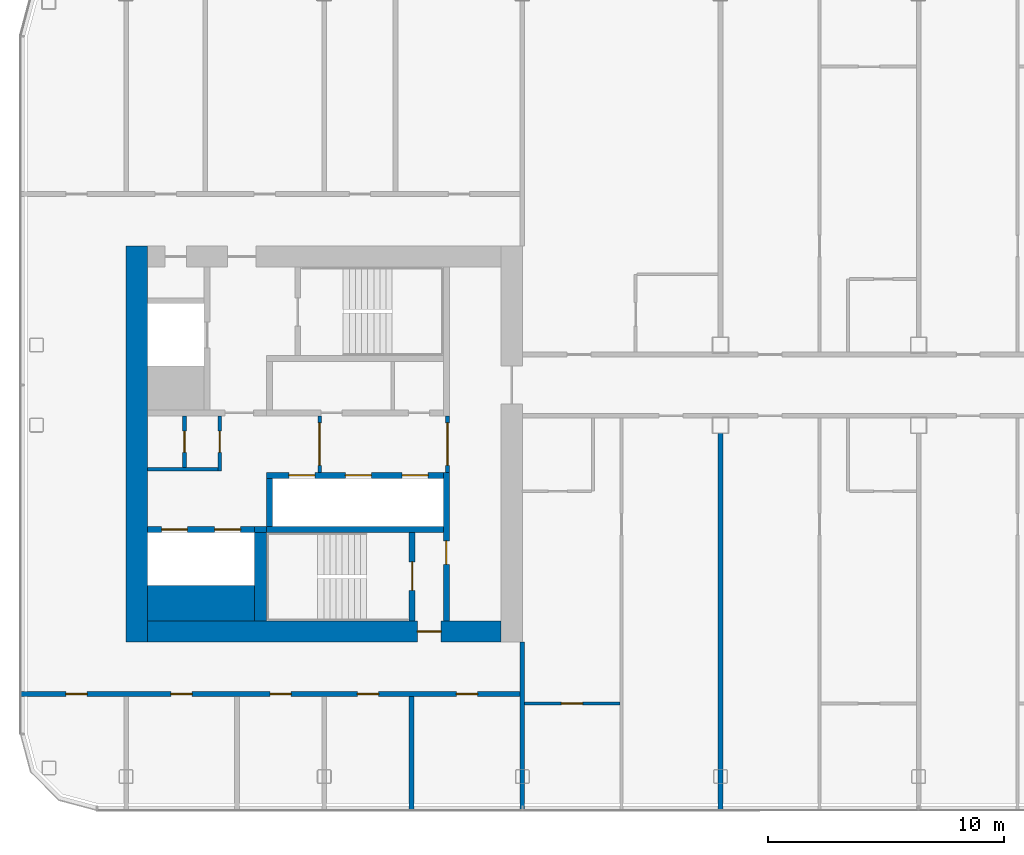
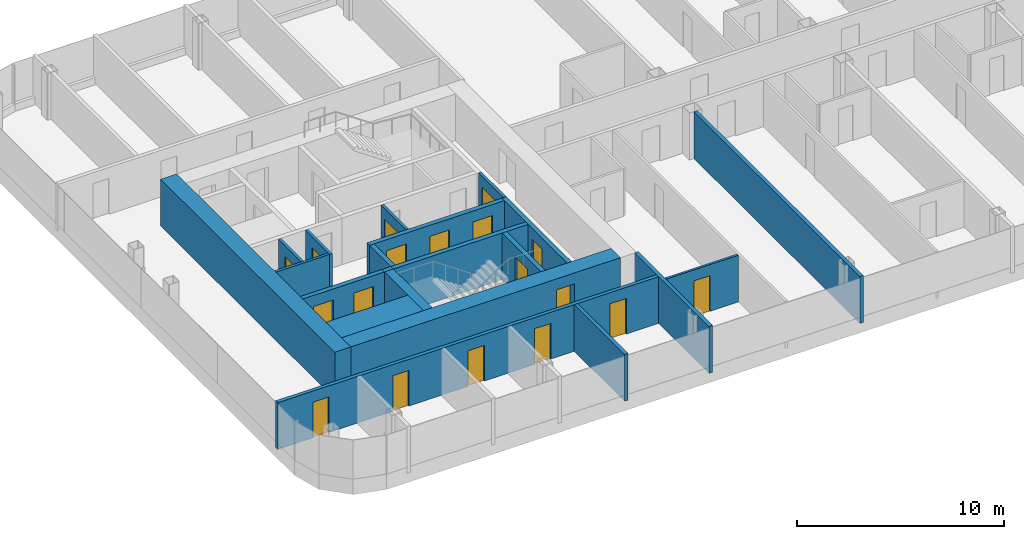
# One storey, part 13 of 26: 21 walls, 18 doors, 18 openings.
"""IFC4 building model written with IfcOpenShell, lengths in metres."""

from ifc_helpers import new_model, si_unit, direction, frame, frame_2d, origin, place, context, subcontext, project, spatial, rectangle, extrude, material, layer, layer_set, type_object, element, fill, save


model = new_model("IFC4")

# Units and contexts
model_context = context("Model", 3, precision=1e-05, world=origin(), true_north=direction((0.0, 1.0)))
body_context = subcontext(model_context, "Body", "Model", "MODEL_VIEW")
ifc_project = project(units=[si_unit("LENGTHUNIT", "METRE"), si_unit("AREAUNIT", "SQUARE_METRE"), si_unit("VOLUMEUNIT", "CUBIC_METRE"), si_unit("PLANEANGLEUNIT", "RADIAN"), si_unit("MASSUNIT", "GRAM", prefix="KILO")], contexts=[model_context])

# Site, building, storey
site_placement = place(None, origin())
site = spatial("IfcSite", under=ifc_project, at=site_placement, CompositionType="ELEMENT")
building_placement = place(site_placement, origin())
building = spatial("IfcBuilding", under=site, at=building_placement, Name="Hakoniwa Tower and Hamabe Station Hall", CompositionType="ELEMENT")
storey_placement = place(building_placement, frame((0.0, 0.0, 215.39990234375)))
storey = spatial("IfcBuildingStorey", under=building, at=storey_placement, Name="L61", CompositionType="ELEMENT", Elevation=215.39990234375)

# Wall, opening, door
ifc_material_1 = material(Name="Gypsum board partition")
ifc_layer_1 = layer(ifc_material_1, 0.14990234375)
ifc_layer_set_1 = layer_set([ifc_layer_1], Name="CORE PARTITION 150 EI 60")
wall_type_1 = type_object("IfcWallType", Name="CORE PARTITION 150 EI 60", PredefinedType="PARTITIONING", material=ifc_layer_set_1)
wall_1_placement = place(storey_placement, frame((-19.97509765625, -1.199951171875, 0.0), z_axis=(0.0, 0.0, 1.0), x_axis=(0.0, 1.0, 0.0)))
wall_1 = element("IfcWall", 1, at=wall_1_placement, inside=storey, type_object=wall_type_1, Name="Core partition PL0 west", PredefinedType="PARTITIONING", context=body_context, shape_type="SweptSolid", body=[
    extrude(rectangle(XDim=2.39990234375, YDim=0.14990234375, at=frame_2d((1.199951171875, 0.0))), origin(), (0.0, 0.0, 1.0), 2.75),
])
opening_1_placement = place(wall_1_placement, frame((0.300048828125, 0.0, 0.0)))
opening_1 = element("IfcOpeningElement", 2, at=opening_1_placement, cuts=wall_1, Name="Opening CD-W-LP0-18", PredefinedType="OPENING", context=body_context, shape_type="SweptSolid", body=[
    extrude(rectangle(XDim=1.800048828125, YDim=2.10009765625, at=frame_2d((0.89990234375, 1.050048828125))), frame((0.0, 0.0849609375, 0.0), z_axis=(0.0, -1.0, 0.0), x_axis=(1.0, 0.0, 0.0)), (0.0, 0.0, 1.0), 0.169921875),
])
ifc_material_2 = material(Name="Steel fire door", Category="steel")
door_type_1 = type_object("IfcDoorType", Name="CORE DOOR 1800 FD60", OperationType="DOUBLE_DOOR_SINGLE_SWING", PredefinedType="DOOR", material=ifc_material_2)
door_1_placement = place(opening_1_placement, origin())
door_1 = element("IfcDoor", 3, at=door_1_placement, inside=storey, type_object=door_type_1, Name="Lift lobby partition door", OperationType="DOUBLE_DOOR_SINGLE_SWING", OverallHeight=2.10009765625, OverallWidth=1.800048828125, PredefinedType="DOOR", context=body_context, shape_type="SweptSolid", body=[
    extrude(rectangle(XDim=1.800048828125, YDim=2.10009765625, at=frame_2d((0.89990234375, 1.050048828125))), frame((0.0, 0.02490234375, 0.0), z_axis=(0.0, -1.0, 0.0), x_axis=(1.0, 0.0, 0.0)), (0.0, 0.0, 1.0), 0.050048828125),
])
fill(opening_1, door_1)

wall_2_placement = place(storey_placement, frame((-25.39990234375, -1.199951171875, 0.0), z_axis=(0.0, 0.0, 1.0), x_axis=(0.0, 1.0, 0.0)))
wall_2 = element("IfcWall", 4, at=wall_2_placement, inside=storey, type_object=wall_type_1, Name="Core partition PL1 west", PredefinedType="PARTITIONING", context=body_context, shape_type="SweptSolid", body=[
    extrude(rectangle(XDim=2.39990234375, YDim=0.14990234375, at=frame_2d((1.199951171875, 0.0))), origin(), (0.0, 0.0, 1.0), 2.75),
])
opening_2_placement = place(wall_2_placement, frame((0.300048828125, 0.0, 0.0)))
opening_2 = element("IfcOpeningElement", 5, at=opening_2_placement, cuts=wall_2, Name="Opening CD-W-LP1-18", PredefinedType="OPENING", context=body_context, shape_type="SweptSolid", body=[
    extrude(rectangle(XDim=1.800048828125, YDim=2.10009765625, at=frame_2d((0.89990234375, 1.050048828125))), frame((0.0, 0.0849609375, 0.0), z_axis=(0.0, -1.0, 0.0), x_axis=(1.0, 0.0, 0.0)), (0.0, 0.0, 1.0), 0.169921875),
])
door_2_placement = place(opening_2_placement, origin())
door_2 = element("IfcDoor", 6, at=door_2_placement, inside=storey, type_object=door_type_1, Name="Lift lobby partition door", OperationType="DOUBLE_DOOR_SINGLE_SWING", OverallHeight=2.10009765625, OverallWidth=1.800048828125, PredefinedType="DOOR", context=body_context, shape_type="SweptSolid", body=[
    extrude(rectangle(XDim=1.800048828125, YDim=2.10009765625, at=frame_2d((0.89990234375, 1.050048828125))), frame((0.0, 0.02490234375, 0.0), z_axis=(0.0, -1.0, 0.0), x_axis=(1.0, 0.0, 0.0)), (0.0, 0.0, 1.0), 0.050048828125),
])
fill(opening_2, door_2)

wall_3_placement = place(storey_placement, frame((-29.625, -1.14990234375, 0.0), z_axis=(0.0, 0.0, 1.0), x_axis=(0.0, 1.0, 0.0)))
wall_3 = element("IfcWall", 7, at=wall_3_placement, inside=storey, type_object=wall_type_1, Name="Core partition PW0 west", PredefinedType="PARTITIONING", context=body_context, shape_type="SweptSolid", body=[
    extrude(rectangle(XDim=2.349853515625, YDim=0.14990234375, at=frame_2d((1.1748046875, 0.0))), origin(), (0.0, 0.0, 1.0), 2.75),
])
opening_3_placement = place(wall_3_placement, frame((0.800048828125, 0.0, 0.0)))
opening_3 = element("IfcOpeningElement", 8, at=opening_3_placement, cuts=wall_3, Name="Opening CD-W-RM1-9", PredefinedType="OPENING", context=body_context, shape_type="SweptSolid", body=[
    extrude(rectangle(XDim=0.89990234375, YDim=2.10009765625, at=frame_2d((0.449951171875, 1.050048828125))), frame((0.0, 0.0849609375, 0.0), z_axis=(0.0, -1.0, 0.0), x_axis=(1.0, 0.0, 0.0)), (0.0, 0.0, 1.0), 0.169921875),
])
ifc_material_3 = material(Name="Steel fire door", Category="steel")
door_type_2 = type_object("IfcDoorType", Name="CORE DOOR 900 FD30", OperationType="NOTDEFINED", PredefinedType="DOOR", material=ifc_material_3)
door_3_placement = place(opening_3_placement, origin())
door_3 = element("IfcDoor", 9, at=door_3_placement, inside=storey, type_object=door_type_2, Name="Store room door", OperationType="SINGLE_SWING_LEFT", OverallHeight=2.10009765625, OverallWidth=0.89990234375, PredefinedType="DOOR", context=body_context, shape_type="SweptSolid", body=[
    extrude(rectangle(XDim=0.89990234375, YDim=2.10009765625, at=frame_2d((0.449951171875, 1.050048828125))), frame((0.0, 0.02490234375, 0.0), z_axis=(0.0, -1.0, 0.0), x_axis=(1.0, 0.0, 0.0)), (0.0, 0.0, 1.0), 0.050048828125),
])
fill(opening_3, door_3)

# Wall
wall_4_placement = place(storey_placement, frame((-32.699951171875, -1.074951171875, 0.0), z_axis=(0.0, 0.0, 1.0), x_axis=(1.0, 0.0, 0.0)))
element("IfcWall", 10, at=wall_4_placement, inside=storey, type_object=wall_type_1, Name="Core partition PS west", PredefinedType="PARTITIONING", context=body_context, shape_type="SweptSolid", body=[
    extrude(rectangle(XDim=3.0, YDim=0.14990234375, at=frame_2d((1.5, 0.0))), origin(), (0.0, 0.0, 1.0), 2.75),
])

# Wall, opening, door
wall_5_placement = place(storey_placement, frame((-31.125, -1.0, 0.0), z_axis=(0.0, 0.0, 1.0), x_axis=(0.0, 1.0, 0.0)))
wall_5 = element("IfcWall", 11, at=wall_5_placement, inside=storey, type_object=wall_type_1, Name="Core partition PW1 west", PredefinedType="PARTITIONING", context=body_context, shape_type="SweptSolid", body=[
    extrude(rectangle(XDim=2.199951171875, YDim=0.14990234375, at=frame_2d((1.10009765625, 0.0))), origin(), (0.0, 0.0, 1.0), 2.75),
])
opening_4_placement = place(wall_5_placement, frame((0.64990234375, 0.0, 0.0)))
opening_4 = element("IfcOpeningElement", 12, at=opening_4_placement, cuts=wall_5, Name="Opening CD-W-RM2-9", PredefinedType="OPENING", context=body_context, shape_type="SweptSolid", body=[
    extrude(rectangle(XDim=0.89990234375, YDim=2.10009765625, at=frame_2d((0.449951171875, 1.050048828125))), frame((0.0, 0.0849609375, 0.0), z_axis=(0.0, -1.0, 0.0), x_axis=(1.0, 0.0, 0.0)), (0.0, 0.0, 1.0), 0.169921875),
])
door_4_placement = place(opening_4_placement, origin())
door_4 = element("IfcDoor", 13, at=door_4_placement, inside=storey, type_object=door_type_2, Name="Store room door", OperationType="SINGLE_SWING_LEFT", OverallHeight=2.10009765625, OverallWidth=0.89990234375, PredefinedType="DOOR", context=body_context, shape_type="SweptSolid", body=[
    extrude(rectangle(XDim=0.89990234375, YDim=2.10009765625, at=frame_2d((0.449951171875, 1.050048828125))), frame((0.0, 0.02490234375, 0.0), z_axis=(0.0, -1.0, 0.0), x_axis=(1.0, 0.0, 0.0)), (0.0, 0.0, 1.0), 0.050048828125),
])
fill(opening_4, door_4)

# Wall
ifc_material_4 = material(Name="Concrete C60", Category="concrete")
ifc_layer_2 = layer(ifc_material_4, 0.89990234375)
ifc_layer_set_2 = layer_set([ifc_layer_2], Name="CORE WALL 900 C60")
wall_type_2 = type_object("IfcWallType", Name="CORE WALL 900 C60", PredefinedType="SHEAR", material=ifc_layer_set_2)
wall_6_placement = place(storey_placement, frame((-33.14990234375, -8.39990234375, 0.0), z_axis=(0.0, 0.0, 1.0), x_axis=(0.0, 1.0, 0.0)))
element("IfcWall", 14, at=wall_6_placement, inside=storey, type_object=wall_type_2, Name="Core wall OUTER west", PredefinedType="SHEAR", context=body_context, shape_type="SweptSolid", body=[
    extrude(rectangle(XDim=16.7998046875, YDim=0.89990234375, at=frame_2d((8.39990234375, 0.0))), origin(), (0.0, 0.0, 1.0), 2.75),
])

# Wall, opening, door
wall_7_placement = place(storey_placement, frame((-32.699951171875, -7.949951171875, 0.0), z_axis=(0.0, 0.0, 1.0), x_axis=(1.0, 0.0, 0.0)))
wall_7 = element("IfcWall", 15, at=wall_7_placement, inside=storey, type_object=wall_type_2, Name="Core wall SOUTH west", PredefinedType="SHEAR", context=body_context, shape_type="SweptSolid", body=[
    extrude(rectangle(XDim=15.0, YDim=0.89990234375, at=frame_2d((7.5, 0.0))), origin(), (0.0, 0.0, 1.0), 2.75),
])
opening_5_placement = place(wall_7_placement, frame((11.449951171875, 0.0, 0.0)))
opening_5 = element("IfcOpeningElement", 16, at=opening_5_placement, cuts=wall_7, Name="Opening CD-W-FS3-10", PredefinedType="OPENING", context=body_context, shape_type="SweptSolid", body=[
    extrude(rectangle(XDim=1.0, YDim=2.10009765625, at=frame_2d((0.5, 1.050048828125))), frame((0.0, 0.4599609375, 0.0), z_axis=(0.0, -1.0, 0.0), x_axis=(1.0, 0.0, 0.0)), (0.0, 0.0, 1.0), 0.919921875),
])
ifc_material_5 = material(Name="Steel fire door", Category="steel")
door_type_3 = type_object("IfcDoorType", Name="CORE DOOR 1000 FD60", OperationType="NOTDEFINED", PredefinedType="DOOR", material=ifc_material_5)
door_5_placement = place(opening_5_placement, origin())
door_5 = element("IfcDoor", 17, at=door_5_placement, inside=storey, type_object=door_type_3, Name="Stair vestibule door", OperationType="SINGLE_SWING_LEFT", OverallHeight=2.10009765625, OverallWidth=1.0, PredefinedType="DOOR", context=body_context, shape_type="SweptSolid", body=[
    extrude(rectangle(XDim=1.0, YDim=2.10009765625, at=frame_2d((0.5, 1.050048828125))), frame((0.0, 0.02490234375, 0.0), z_axis=(0.0, -1.0, 0.0), x_axis=(1.0, 0.0, 0.0)), (0.0, 0.0, 1.0), 0.050048828125),
])
fill(opening_5, door_5)

# Wall
ifc_material_6 = material(Name="Concrete C60", Category="concrete")
ifc_layer_3 = layer(ifc_material_6, 1.5)
ifc_layer_set_3 = layer_set([ifc_layer_3], Name="CORE WEB WALL 1500 C60")
wall_type_3 = type_object("IfcWallType", Name="CORE WEB WALL 1500 C60", PredefinedType="SHEAR", material=ifc_layer_set_3)
wall_8_placement = place(storey_placement, frame((-32.699951171875, -6.75, 0.0), z_axis=(0.0, 0.0, 1.0), x_axis=(1.0, 0.0, 0.0)))
element("IfcWall", 18, at=wall_8_placement, inside=storey, type_object=wall_type_3, Name="Core wall SER west", PredefinedType="SHEAR", context=body_context, shape_type="SweptSolid", body=[
    extrude(rectangle(XDim=4.550048828125, YDim=1.5, at=frame_2d((2.27490234375, 0.0))), origin(), (0.0, 0.0, 1.0), 2.75),
])

# Wall, opening, door
ifc_material_7 = material(Name="Concrete C60", Category="concrete")
ifc_layer_4 = layer(ifc_material_7, 0.25)
ifc_layer_set_4 = layer_set([ifc_layer_4], Name="CORE WEB WALL 250 C60")
wall_type_4 = type_object("IfcWallType", Name="CORE WEB WALL 250 C60", PredefinedType="SHEAR", material=ifc_layer_set_4)
wall_9_placement = place(storey_placement, frame((-20.02490234375, -7.5, 0.0), z_axis=(0.0, 0.0, 1.0), x_axis=(0.0, 1.0, 0.0)))
wall_9 = element("IfcWall", 19, at=wall_9_placement, inside=storey, type_object=wall_type_4, Name="Core wall W1S west", PredefinedType="SHEAR", context=body_context, shape_type="SweptSolid", body=[
    extrude(rectangle(XDim=6.300048828125, YDim=0.25, at=frame_2d((3.14990234375, 0.0))), origin(), (0.0, 0.0, 1.0), 2.75),
])
opening_6_placement = place(wall_9_placement, frame((2.39990234375, 0.0, 0.0)))
opening_6 = element("IfcOpeningElement", 20, at=opening_6_placement, cuts=wall_9, Name="Opening CD-W-VS-10", PredefinedType="OPENING", context=body_context, shape_type="SweptSolid", body=[
    extrude(rectangle(XDim=1.0, YDim=2.10009765625, at=frame_2d((0.5, 1.050048828125))), frame((0.0, 0.135009765625, 0.0), z_axis=(0.0, -1.0, 0.0), x_axis=(1.0, 0.0, 0.0)), (0.0, 0.0, 1.0), 0.27001953125),
])
door_6_placement = place(opening_6_placement, origin())
door_6 = element("IfcDoor", 21, at=door_6_placement, inside=storey, type_object=door_type_3, Name="Stair vestibule door", OperationType="SINGLE_SWING_LEFT", OverallHeight=2.10009765625, OverallWidth=1.0, PredefinedType="DOOR", context=body_context, shape_type="SweptSolid", body=[
    extrude(rectangle(XDim=1.0, YDim=2.10009765625, at=frame_2d((0.5, 1.050048828125))), frame((0.0, 0.02490234375, 0.0), z_axis=(0.0, -1.0, 0.0), x_axis=(1.0, 0.0, 0.0)), (0.0, 0.0, 1.0), 0.050048828125),
])
fill(opening_6, door_6)

# Wall, openings, doors
wall_10_placement = place(storey_placement, frame((-27.64990234375, -1.324951171875, 0.0), z_axis=(0.0, 0.0, 1.0), x_axis=(1.0, 0.0, 0.0)))
wall_10 = element("IfcWall", 22, at=wall_10_placement, inside=storey, type_object=wall_type_4, Name="Core wall SF west", PredefinedType="SHEAR", context=body_context, shape_type="SweptSolid", body=[
    extrude(rectangle(XDim=7.5, YDim=0.25, at=frame_2d((3.75, 0.0))), origin(), (0.0, 0.0, 1.0), 2.75),
])
opening_7_placement = place(wall_10_placement, frame((5.75, 0.0, 0.0)))
opening_7 = element("IfcOpeningElement", 23, at=opening_7_placement, cuts=wall_10, Name="Opening LD-HR1", PredefinedType="OPENING", context=body_context, shape_type="SweptSolid", body=[
    extrude(rectangle(XDim=1.10009765625, YDim=2.10009765625, at=frame_2d((0.550048828125, 1.050048828125))), frame((0.0, 0.135009765625, 0.0), z_axis=(0.0, -1.0, 0.0), x_axis=(1.0, 0.0, 0.0)), (0.0, 0.0, 1.0), 0.27001953125),
])
opening_8_placement = place(wall_10_placement, frame((3.35009765625, 0.0, 0.0)))
opening_8 = element("IfcOpeningElement", 24, at=opening_8_placement, cuts=wall_10, Name="Opening LD-HR2", PredefinedType="OPENING", context=body_context, shape_type="SweptSolid", body=[
    extrude(rectangle(XDim=1.10009765625, YDim=2.10009765625, at=frame_2d((0.550048828125, 1.050048828125))), frame((0.0, 0.135009765625, 0.0), z_axis=(0.0, -1.0, 0.0), x_axis=(1.0, 0.0, 0.0)), (0.0, 0.0, 1.0), 0.27001953125),
])
opening_9_placement = place(wall_10_placement, frame((0.949951171875, 0.0, 0.0)))
opening_9 = element("IfcOpeningElement", 25, at=opening_9_placement, cuts=wall_10, Name="Opening LD-HR3", PredefinedType="OPENING", context=body_context, shape_type="SweptSolid", body=[
    extrude(rectangle(XDim=1.10009765625, YDim=2.10009765625, at=frame_2d((0.550048828125, 1.050048828125))), frame((0.0, 0.135009765625, 0.0), z_axis=(0.0, -1.0, 0.0), x_axis=(1.0, 0.0, 0.0)), (0.0, 0.0, 1.0), 0.27001953125),
])
ifc_material_8 = material(Name="Stainless steel SUS304", Category="steel")
door_type_4 = type_object("IfcDoorType", Name="LIFT LANDING DOOR 1100 FD60", OperationType="DOUBLE_DOOR_SLIDING", PredefinedType="DOOR", material=ifc_material_8)
door_7_placement = place(opening_7_placement, origin())
door_7 = element("IfcDoor", 26, at=door_7_placement, inside=storey, type_object=door_type_4, Name="Lift landing door HR1 L61", OperationType="DOUBLE_DOOR_SLIDING", OverallHeight=2.10009765625, OverallWidth=1.10009765625, PredefinedType="DOOR", context=body_context, shape_type="SweptSolid", body=[
    extrude(rectangle(XDim=1.10009765625, YDim=2.10009765625, at=frame_2d((0.550048828125, 1.050048828125))), frame((0.0, 0.02490234375, 0.0), z_axis=(0.0, -1.0, 0.0), x_axis=(1.0, 0.0, 0.0)), (0.0, 0.0, 1.0), 0.050048828125),
])
fill(opening_7, door_7)
door_8_placement = place(opening_8_placement, origin())
door_8 = element("IfcDoor", 27, at=door_8_placement, inside=storey, type_object=door_type_4, Name="Lift landing door HR2 L61", OperationType="DOUBLE_DOOR_SLIDING", OverallHeight=2.10009765625, OverallWidth=1.10009765625, PredefinedType="DOOR", context=body_context, shape_type="SweptSolid", body=[
    extrude(rectangle(XDim=1.10009765625, YDim=2.10009765625, at=frame_2d((0.550048828125, 1.050048828125))), frame((0.0, 0.02490234375, 0.0), z_axis=(0.0, -1.0, 0.0), x_axis=(1.0, 0.0, 0.0)), (0.0, 0.0, 1.0), 0.050048828125),
])
fill(opening_8, door_8)
door_9_placement = place(opening_9_placement, origin())
door_9 = element("IfcDoor", 28, at=door_9_placement, inside=storey, type_object=door_type_4, Name="Lift landing door HR3 L61", OperationType="DOUBLE_DOOR_SLIDING", OverallHeight=2.10009765625, OverallWidth=1.10009765625, PredefinedType="DOOR", context=body_context, shape_type="SweptSolid", body=[
    extrude(rectangle(XDim=1.10009765625, YDim=2.10009765625, at=frame_2d((0.550048828125, 1.050048828125))), frame((0.0, 0.02490234375, 0.0), z_axis=(0.0, -1.0, 0.0), x_axis=(1.0, 0.0, 0.0)), (0.0, 0.0, 1.0), 0.050048828125),
])
fill(opening_9, door_9)

# Walls
wall_11_placement = place(storey_placement, frame((-27.52490234375, -3.5, 0.0), z_axis=(0.0, 0.0, 1.0), x_axis=(0.0, 1.0, 0.0)))
element("IfcWall", 29, at=wall_11_placement, inside=storey, type_object=wall_type_4, Name="Core wall SE west", PredefinedType="SHEAR", context=body_context, shape_type="SweptSolid", body=[
    extrude(rectangle(XDim=2.050048828125, YDim=0.25, at=frame_2d((1.02490234375, 0.0))), origin(), (0.0, 0.0, 1.0), 2.75),
])
wall_12_placement = place(storey_placement, frame((-27.64990234375, -3.625, 0.0), z_axis=(0.0, 0.0, 1.0), x_axis=(1.0, 0.0, 0.0)))
element("IfcWall", 30, at=wall_12_placement, inside=storey, type_object=wall_type_4, Name="Core wall SR west", PredefinedType="SHEAR", context=body_context, shape_type="SweptSolid", body=[
    extrude(rectangle(XDim=7.5, YDim=0.25, at=frame_2d((3.75, 0.0))), origin(), (0.0, 0.0, 1.0), 2.75),
])

# Wall, opening, door
wall_13_placement = place(storey_placement, frame((-21.47509765625, -7.5, 0.0), z_axis=(0.0, 0.0, 1.0), x_axis=(0.0, 1.0, 0.0)))
wall_13 = element("IfcWall", 31, at=wall_13_placement, inside=storey, type_object=wall_type_4, Name="Core wall VE west", PredefinedType="SHEAR", context=body_context, shape_type="SweptSolid", body=[
    extrude(rectangle(XDim=3.75, YDim=0.25, at=frame_2d((1.875, 0.0))), origin(), (0.0, 0.0, 1.0), 2.75),
])
opening_10_placement = place(wall_13_placement, frame((1.300048828125, 0.0, 0.0)))
opening_10 = element("IfcOpeningElement", 32, at=opening_10_placement, cuts=wall_13, Name="Opening CD-W-SS-12", PredefinedType="OPENING", context=body_context, shape_type="SweptSolid", body=[
    extrude(rectangle(XDim=1.199951171875, YDim=2.10009765625, at=frame_2d((0.60009765625, 1.050048828125))), frame((0.0, 0.135009765625, 0.0), z_axis=(0.0, -1.0, 0.0), x_axis=(1.0, 0.0, 0.0)), (0.0, 0.0, 1.0), 0.27001953125),
])
ifc_material_9 = material(Name="Steel fire door", Category="steel")
door_type_5 = type_object("IfcDoorType", Name="CORE DOOR 1200 FD60", OperationType="DOUBLE_DOOR_SINGLE_SWING", PredefinedType="DOOR", material=ifc_material_9)
door_10_placement = place(opening_10_placement, origin())
door_10 = element("IfcDoor", 33, at=door_10_placement, inside=storey, type_object=door_type_5, Name="Escape stair door", OperationType="DOUBLE_DOOR_SINGLE_SWING", OverallHeight=2.10009765625, OverallWidth=1.199951171875, PredefinedType="DOOR", context=body_context, shape_type="SweptSolid", body=[
    extrude(rectangle(XDim=1.199951171875, YDim=2.10009765625, at=frame_2d((0.60009765625, 1.050048828125))), frame((0.0, 0.02490234375, 0.0), z_axis=(0.0, -1.0, 0.0), x_axis=(1.0, 0.0, 0.0)), (0.0, 0.0, 1.0), 0.050048828125),
])
fill(opening_10, door_10)

# Wall, openings, doors
wall_14_placement = place(storey_placement, frame((-32.699951171875, -3.625, 0.0), z_axis=(0.0, 0.0, 1.0), x_axis=(1.0, 0.0, 0.0)))
wall_14 = element("IfcWall", 34, at=wall_14_placement, inside=storey, type_object=wall_type_4, Name="Core wall SEF west", PredefinedType="SHEAR", context=body_context, shape_type="SweptSolid", body=[
    extrude(rectangle(XDim=4.550048828125, YDim=0.25, at=frame_2d((2.27490234375, 0.0))), origin(), (0.0, 0.0, 1.0), 2.75),
])
opening_11_placement = place(wall_14_placement, frame((2.85009765625, 0.0, 0.0)))
opening_11 = element("IfcOpeningElement", 35, at=opening_11_placement, cuts=wall_14, Name="Opening LD-SV1", PredefinedType="OPENING", context=body_context, shape_type="SweptSolid", body=[
    extrude(rectangle(XDim=1.10009765625, YDim=2.10009765625, at=frame_2d((0.550048828125, 1.050048828125))), frame((0.0, 0.135009765625, 0.0), z_axis=(0.0, -1.0, 0.0), x_axis=(1.0, 0.0, 0.0)), (0.0, 0.0, 1.0), 0.27001953125),
])
opening_12_placement = place(wall_14_placement, frame((0.60009765625, 0.0, 0.0)))
opening_12 = element("IfcOpeningElement", 36, at=opening_12_placement, cuts=wall_14, Name="Opening LD-SV2", PredefinedType="OPENING", context=body_context, shape_type="SweptSolid", body=[
    extrude(rectangle(XDim=1.10009765625, YDim=2.10009765625, at=frame_2d((0.550048828125, 1.050048828125))), frame((0.0, 0.135009765625, 0.0), z_axis=(0.0, -1.0, 0.0), x_axis=(1.0, 0.0, 0.0)), (0.0, 0.0, 1.0), 0.27001953125),
])
door_11_placement = place(opening_11_placement, origin())
door_11 = element("IfcDoor", 37, at=door_11_placement, inside=storey, type_object=door_type_4, Name="Lift landing door SV1 L61", OperationType="DOUBLE_DOOR_SLIDING", OverallHeight=2.10009765625, OverallWidth=1.10009765625, PredefinedType="DOOR", context=body_context, shape_type="SweptSolid", body=[
    extrude(rectangle(XDim=1.10009765625, YDim=2.10009765625, at=frame_2d((0.550048828125, 1.050048828125))), frame((0.0, 0.02490234375, 0.0), z_axis=(0.0, -1.0, 0.0), x_axis=(1.0, 0.0, 0.0)), (0.0, 0.0, 1.0), 0.050048828125),
])
fill(opening_11, door_11)
door_12_placement = place(opening_12_placement, origin())
door_12 = element("IfcDoor", 38, at=door_12_placement, inside=storey, type_object=door_type_4, Name="Lift landing door SV2 L61", OperationType="DOUBLE_DOOR_SLIDING", OverallHeight=2.10009765625, OverallWidth=1.10009765625, PredefinedType="DOOR", context=body_context, shape_type="SweptSolid", body=[
    extrude(rectangle(XDim=1.10009765625, YDim=2.10009765625, at=frame_2d((0.550048828125, 1.050048828125))), frame((0.0, 0.02490234375, 0.0), z_axis=(0.0, -1.0, 0.0), x_axis=(1.0, 0.0, 0.0)), (0.0, 0.0, 1.0), 0.050048828125),
])
fill(opening_12, door_12)

# Walls
wall_15_placement = place(storey_placement, frame((-28.14990234375, -3.625, 0.0), z_axis=(0.0, 0.0, 1.0), x_axis=(1.0, 0.0, 0.0)))
element("IfcWall", 39, at=wall_15_placement, inside=storey, type_object=wall_type_4, Name="Core wall SRK west", PredefinedType="SHEAR", context=body_context, shape_type="SweptSolid", body=[
    extrude(rectangle(XDim=0.5, YDim=0.25, at=frame_2d((0.25, 0.0))), origin(), (0.0, 0.0, 1.0), 2.75),
])
ifc_material_10 = material(Name="Concrete C60", Category="concrete")
ifc_layer_5 = layer(ifc_material_10, 0.5)
ifc_layer_set_5 = layer_set([ifc_layer_5], Name="CORE WEB WALL 500 C60")
wall_type_5 = type_object("IfcWallType", Name="CORE WEB WALL 500 C60", PredefinedType="SHEAR", material=ifc_layer_set_5)
wall_16_placement = place(storey_placement, frame((-27.89990234375, -7.5, 0.0), z_axis=(0.0, 0.0, 1.0), x_axis=(0.0, 1.0, 0.0)))
element("IfcWall", 40, at=wall_16_placement, inside=storey, type_object=wall_type_5, Name="Core wall SSE west", PredefinedType="SHEAR", context=body_context, shape_type="SweptSolid", body=[
    extrude(rectangle(XDim=3.75, YDim=0.5, at=frame_2d((1.875, 0.0))), origin(), (0.0, 0.0, 1.0), 2.75),
])

# Wall, openings, doors
ifc_material_11 = material(Name="Fire-rated gypsum board partition", Category="gypsum")
ifc_layer_6 = layer(ifc_material_11, 0.199951171875)
ifc_layer_set_6 = layer_set([ifc_layer_6], Name="Corridor Wall 200")
wall_type_6 = type_object("IfcWallType", Name="Corridor Wall 200", PredefinedType="PARTITIONING", material=ifc_layer_set_6)
wall_17_placement = place(storey_placement, frame((-38.10009765625, -10.60009765625, 0.0), z_axis=(0.0, 0.0, 1.0), x_axis=(1.0, 0.0, 0.0)))
wall_17 = element("IfcWall", 41, at=wall_17_placement, inside=storey, type_object=wall_type_6, Name="GW-L61-004", PredefinedType="PARTITIONING", context=body_context, shape_type="SweptSolid", body=[
    extrude(rectangle(XDim=21.300048828125, YDim=0.199951171875, at=frame_2d((10.64990234375, 0.0))), origin(), (0.0, 0.0, 1.0), 2.75),
])
opening_13_placement = place(wall_17_placement, frame((1.949951171875, 0.0, 0.0)))
opening_13 = element("IfcOpeningElement", 42, at=opening_13_placement, cuts=wall_17, Name="Opening GD-G4E1-05", PredefinedType="OPENING", context=body_context, shape_type="SweptSolid", body=[
    extrude(rectangle(XDim=0.89990234375, YDim=2.10009765625, at=frame_2d((0.449951171875, 1.050048828125))), frame((0.0, 0.10986328125, 0.0), z_axis=(0.0, -1.0, 0.0), x_axis=(1.0, 0.0, 0.0)), (0.0, 0.0, 1.0), 0.219970703125),
])
opening_14_placement = place(wall_17_placement, frame((6.39990234375, 0.0, 0.0)))
opening_14 = element("IfcOpeningElement", 43, at=opening_14_placement, cuts=wall_17, Name="Opening GD-G4E1-06", PredefinedType="OPENING", context=body_context, shape_type="SweptSolid", body=[
    extrude(rectangle(XDim=0.89990234375, YDim=2.10009765625, at=frame_2d((0.449951171875, 1.050048828125))), frame((0.0, 0.10986328125, 0.0), z_axis=(0.0, -1.0, 0.0), x_axis=(1.0, 0.0, 0.0)), (0.0, 0.0, 1.0), 0.219970703125),
])
opening_15_placement = place(wall_17_placement, frame((10.60009765625, 0.0, 0.0)))
opening_15 = element("IfcOpeningElement", 44, at=opening_15_placement, cuts=wall_17, Name="Opening GD-G4E1-07", PredefinedType="OPENING", context=body_context, shape_type="SweptSolid", body=[
    extrude(rectangle(XDim=0.89990234375, YDim=2.10009765625, at=frame_2d((0.449951171875, 1.050048828125))), frame((0.0, 0.10986328125, 0.0), z_axis=(0.0, -1.0, 0.0), x_axis=(1.0, 0.0, 0.0)), (0.0, 0.0, 1.0), 0.219970703125),
])
opening_16_placement = place(wall_17_placement, frame((14.300048828125, 0.0, 0.0)))
opening_16 = element("IfcOpeningElement", 45, at=opening_16_placement, cuts=wall_17, Name="Opening GD-G4E1-08", PredefinedType="OPENING", context=body_context, shape_type="SweptSolid", body=[
    extrude(rectangle(XDim=0.89990234375, YDim=2.10009765625, at=frame_2d((0.449951171875, 1.050048828125))), frame((0.0, 0.10986328125, 0.0), z_axis=(0.0, -1.0, 0.0), x_axis=(1.0, 0.0, 0.0)), (0.0, 0.0, 1.0), 0.219970703125),
])
opening_17_placement = place(wall_17_placement, frame((18.5, 0.0, 0.0)))
opening_17 = element("IfcOpeningElement", 46, at=opening_17_placement, cuts=wall_17, Name="Opening GD-G4E1-09", PredefinedType="OPENING", context=body_context, shape_type="SweptSolid", body=[
    extrude(rectangle(XDim=0.89990234375, YDim=2.10009765625, at=frame_2d((0.449951171875, 1.050048828125))), frame((0.0, 0.10986328125, 0.0), z_axis=(0.0, -1.0, 0.0), x_axis=(1.0, 0.0, 0.0)), (0.0, 0.0, 1.0), 0.219970703125),
])
ifc_material_12 = material(Name="Timber door leaf", Category="wood")
door_type_6 = type_object("IfcDoorType", Name="Service Door 900", OperationType="SINGLE_SWING_LEFT", PredefinedType="DOOR", material=ifc_material_12)
door_13_placement = place(opening_13_placement, origin())
door_13 = element("IfcDoor", 47, at=door_13_placement, inside=storey, type_object=door_type_6, Name="Door GD-G4E1-05", OperationType="SINGLE_SWING_RIGHT", OverallHeight=2.10009765625, OverallWidth=0.89990234375, PredefinedType="DOOR", context=body_context, shape_type="SweptSolid", body=[
    extrude(rectangle(XDim=0.89990234375, YDim=2.10009765625, at=frame_2d((0.449951171875, 1.050048828125))), frame((0.0, 0.02490234375, 0.0), z_axis=(0.0, -1.0, 0.0), x_axis=(1.0, 0.0, 0.0)), (0.0, 0.0, 1.0), 0.050048828125),
])
fill(opening_13, door_13)
door_14_placement = place(opening_14_placement, origin())
door_14 = element("IfcDoor", 48, at=door_14_placement, inside=storey, type_object=door_type_6, Name="Door GD-G4E1-06", OperationType="SINGLE_SWING_RIGHT", OverallHeight=2.10009765625, OverallWidth=0.89990234375, PredefinedType="DOOR", context=body_context, shape_type="SweptSolid", body=[
    extrude(rectangle(XDim=0.89990234375, YDim=2.10009765625, at=frame_2d((0.449951171875, 1.050048828125))), frame((0.0, 0.02490234375, 0.0), z_axis=(0.0, -1.0, 0.0), x_axis=(1.0, 0.0, 0.0)), (0.0, 0.0, 1.0), 0.050048828125),
])
fill(opening_14, door_14)
door_15_placement = place(opening_15_placement, origin())
door_15 = element("IfcDoor", 49, at=door_15_placement, inside=storey, type_object=door_type_6, Name="Door GD-G4E1-07", OperationType="SINGLE_SWING_LEFT", OverallHeight=2.10009765625, OverallWidth=0.89990234375, PredefinedType="DOOR", context=body_context, shape_type="SweptSolid", body=[
    extrude(rectangle(XDim=0.89990234375, YDim=2.10009765625, at=frame_2d((0.449951171875, 1.050048828125))), frame((0.0, 0.02490234375, 0.0), z_axis=(0.0, -1.0, 0.0), x_axis=(1.0, 0.0, 0.0)), (0.0, 0.0, 1.0), 0.050048828125),
])
fill(opening_15, door_15)
door_16_placement = place(opening_16_placement, origin())
door_16 = element("IfcDoor", 50, at=door_16_placement, inside=storey, type_object=door_type_6, Name="Door GD-G4E1-08", OperationType="SINGLE_SWING_RIGHT", OverallHeight=2.10009765625, OverallWidth=0.89990234375, PredefinedType="DOOR", context=body_context, shape_type="SweptSolid", body=[
    extrude(rectangle(XDim=0.89990234375, YDim=2.10009765625, at=frame_2d((0.449951171875, 1.050048828125))), frame((0.0, 0.02490234375, 0.0), z_axis=(0.0, -1.0, 0.0), x_axis=(1.0, 0.0, 0.0)), (0.0, 0.0, 1.0), 0.050048828125),
])
fill(opening_16, door_16)
door_17_placement = place(opening_17_placement, origin())
door_17 = element("IfcDoor", 51, at=door_17_placement, inside=storey, type_object=door_type_6, Name="Door GD-G4E1-09", OperationType="SINGLE_SWING_LEFT", OverallHeight=2.10009765625, OverallWidth=0.89990234375, PredefinedType="DOOR", context=body_context, shape_type="SweptSolid", body=[
    extrude(rectangle(XDim=0.89990234375, YDim=2.10009765625, at=frame_2d((0.449951171875, 1.050048828125))), frame((0.0, 0.02490234375, 0.0), z_axis=(0.0, -1.0, 0.0), x_axis=(1.0, 0.0, 0.0)), (0.0, 0.0, 1.0), 0.050048828125),
])
fill(opening_17, door_17)

# Walls
ifc_material_13 = material(Name="Fire-rated gypsum board partition", Category="gypsum")
ifc_layer_7 = layer(ifc_material_13, 0.199951171875)
ifc_layer_set_7 = layer_set([ifc_layer_7], Name="Party Wall 200")
wall_type_7 = type_object("IfcWallType", Name="Party Wall 200", PredefinedType="PARTITIONING", material=ifc_layer_set_7)
wall_18_placement = place(storey_placement, frame((-21.5, -15.550048828125, 0.0), z_axis=(0.0, 0.0, 1.0), x_axis=(0.0, 1.0, 0.0)))
element("IfcWall", 52, at=wall_18_placement, inside=storey, type_object=wall_type_7, Name="GW-L61-030", PredefinedType="PARTITIONING", context=body_context, shape_type="SweptSolid", body=[
    extrude(rectangle(XDim=4.85009765625, YDim=0.199951171875, at=frame_2d((2.425048828125, 0.0))), origin(), (0.0, 0.0, 1.0), 2.75),
])
wall_19_placement = place(storey_placement, frame((-16.800048828125, -15.550048828125, 0.0), z_axis=(0.0, 0.0, 1.0), x_axis=(0.0, 1.0, 0.0)))
element("IfcWall", 53, at=wall_19_placement, inside=storey, type_object=wall_type_7, Name="GW-L61-031", PredefinedType="PARTITIONING", context=body_context, shape_type="SweptSolid", body=[
    extrude(rectangle(XDim=7.16015625, YDim=0.199951171875, at=frame_2d((3.580078125, 0.0))), origin(), (0.0, 0.0, 1.0), 2.75),
])
wall_20_placement = place(storey_placement, frame((-8.39990234375, -15.550048828125, 0.0), z_axis=(0.0, 0.0, 1.0), x_axis=(0.0, 1.0, 0.0)))
element("IfcWall", 54, at=wall_20_placement, inside=storey, type_object=wall_type_7, Name="GW-L61-036", PredefinedType="PARTITIONING", context=body_context, shape_type="SweptSolid", body=[
    extrude(rectangle(XDim=16.010009765625, YDim=0.199951171875, at=frame_2d((8.0048828125, 0.0))), origin(), (0.0, 0.0, 1.0), 2.75),
])

# Wall, opening, door
ifc_material_14 = material(Name="Gypsum board partition", Category="gypsum")
ifc_layer_8 = layer(ifc_material_14, 0.125)
ifc_layer_set_8 = layer_set([ifc_layer_8], Name="Room Partition 125")
wall_type_8 = type_object("IfcWallType", Name="Room Partition 125", PredefinedType="PARTITIONING", material=ifc_layer_set_8)
wall_21_placement = place(storey_placement, frame((-16.699951171875, -11.0, 0.0), z_axis=(0.0, 0.0, 1.0), x_axis=(1.0, 0.0, 0.0)))
wall_21 = element("IfcWall", 55, at=wall_21_placement, inside=storey, type_object=wall_type_8, Name="GW-L61-001", PredefinedType="PARTITIONING", context=body_context, shape_type="SweptSolid", body=[
    extrude(rectangle(XDim=4.037353515625, YDim=0.125, at=frame_2d((2.0185546875, 0.0))), origin(), (0.0, 0.0, 1.0), 2.75),
])
opening_18_placement = place(wall_21_placement, frame((1.550048828125, 0.0, 0.0)))
opening_18 = element("IfcOpeningElement", 56, at=opening_18_placement, cuts=wall_21, Name="Opening GD-G4E1-01", PredefinedType="OPENING", context=body_context, shape_type="SweptSolid", body=[
    extrude(rectangle(XDim=0.89990234375, YDim=2.10009765625, at=frame_2d((0.449951171875, 1.050048828125))), frame((0.0, 0.072509765625, 0.0), z_axis=(0.0, -1.0, 0.0), x_axis=(1.0, 0.0, 0.0)), (0.0, 0.0, 1.0), 0.14501953125),
])
ifc_material_15 = material(Name="Timber door leaf", Category="wood")
door_type_7 = type_object("IfcDoorType", Name="Suite Interior Door 900", OperationType="SINGLE_SWING_LEFT", PredefinedType="DOOR", material=ifc_material_15)
door_18_placement = place(opening_18_placement, origin())
door_18 = element("IfcDoor", 57, at=door_18_placement, inside=storey, type_object=door_type_7, Name="Door GD-G4E1-01", OperationType="SINGLE_SWING_LEFT", OverallHeight=2.10009765625, OverallWidth=0.89990234375, PredefinedType="DOOR", context=body_context, shape_type="SweptSolid", body=[
    extrude(rectangle(XDim=0.89990234375, YDim=2.10009765625, at=frame_2d((0.449951171875, 1.050048828125))), frame((0.0, 0.02490234375, 0.0), z_axis=(0.0, -1.0, 0.0), x_axis=(1.0, 0.0, 0.0)), (0.0, 0.0, 1.0), 0.050048828125),
])
fill(opening_18, door_18)

save(model, "model.ifc")
